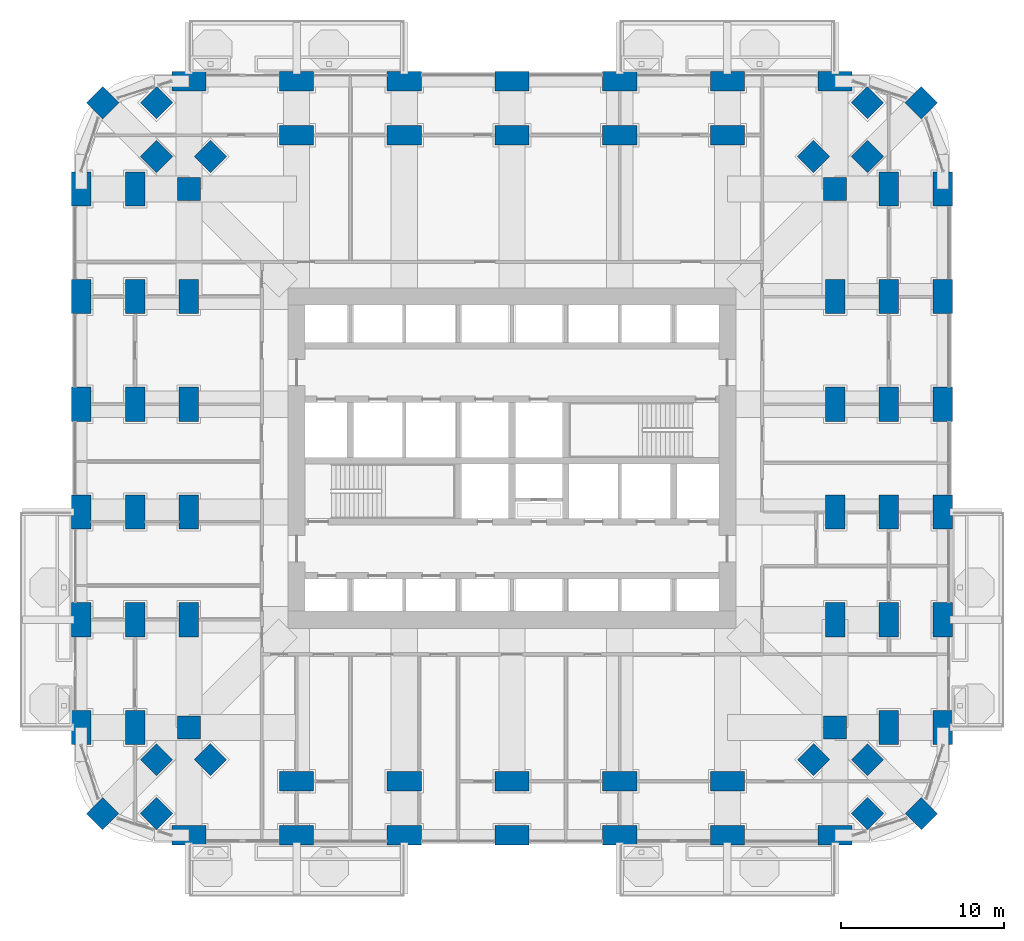
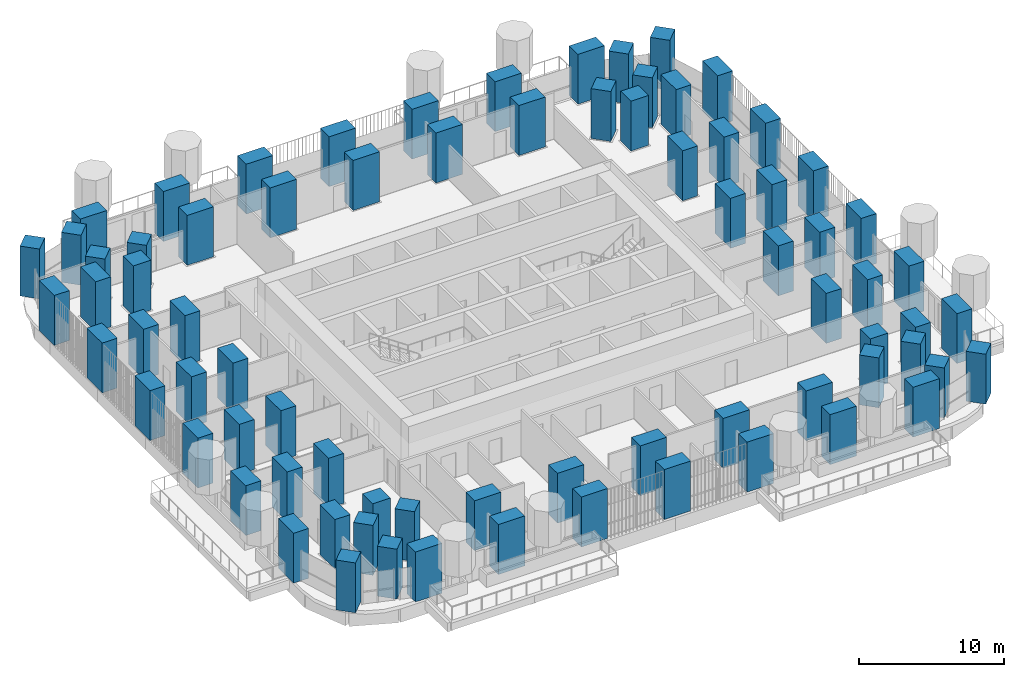
# One storey, part 1 of 27: 76 columns.
"""IFC4 building model written with IfcOpenShell, lengths in metres."""

from ifc_helpers import new_model, si_unit, direction, frame, origin, origin_2d, place, context, subcontext, project, spatial, rectangle, extrude, material, material_profile, profile_set, type_object, element, save


model = new_model("IFC4")

# Units and contexts
model_context = context("Model", 3, precision=1e-05, world=origin(), true_north=direction((0.0, 1.0)))
body_context = subcontext(model_context, "Body", "Model", "MODEL_VIEW")
ifc_project = project(units=[si_unit("LENGTHUNIT", "METRE"), si_unit("AREAUNIT", "SQUARE_METRE"), si_unit("VOLUMEUNIT", "CUBIC_METRE"), si_unit("PLANEANGLEUNIT", "RADIAN"), si_unit("MASSUNIT", "GRAM", prefix="KILO")], contexts=[model_context])

# Site, building, storey
site_placement = place(None, origin())
site = spatial("IfcSite", under=ifc_project, at=site_placement, CompositionType="ELEMENT")
building_placement = place(site_placement, origin())
building = spatial("IfcBuilding", under=site, at=building_placement, Name="Cobogo Forest Laboratory Tower", CompositionType="ELEMENT")
storey_placement = place(building_placement, frame((0.0, 0.0, 63.300048828125)))
storey = spatial("IfcBuildingStorey", under=building, at=storey_placement, Name="L14", CompositionType="ELEMENT", Elevation=63.300048828125)

# Columns
ifc_material = material(Name="Concrete HA-50 (C50/60)", Category="concrete")
ifc_material_profile_1 = material_profile(ifc_material, rectangle(XDim=2.10009765625, YDim=1.199951171875, at=origin_2d()), Name="RC 1200x2100")
ifc_profile_set_1 = profile_set([ifc_material_profile_1], Name="Concrete HA-50 (C50/60)")
column_type_1 = type_object("IfcColumnType", Name="Blade column 1200x2100", PredefinedType="COLUMN", material=ifc_profile_set_1)
for number, where, z_axis, x_axis, name in (
    (1, (6.60009765625, 0.0, 0.0), (0.0, 0.0, 1.0), (1.0, 0.0, 0.0), "Column 2-A L14"),
    (2, (13.199951171875, 0.0, 0.0), (0.0, 0.0, 1.0), (1.0, 0.0, 0.0), "Column 3-A L14"),
    (3, (19.800048828125, 0.0, 0.0), (0.0, 0.0, 1.0), (1.0, 0.0, 0.0), "Column 4-A L14"),
    (4, (26.39990234375, 0.0, 0.0), (0.0, 0.0, 1.0), (1.0, 0.0, 0.0), "Column 5-A L14"),
    (5, (33.0, 0.0, 0.0), (0.0, 0.0, 1.0), (1.0, 0.0, 0.0), "Column 6-A L14"),
    (6, (39.60009765625, 0.0, 0.0), (0.0, 0.0, 1.0), (1.0, 0.0, 0.0), "Column 7-A L14"),
    (7, (46.199951171875, 0.0, 0.0), (0.0, 0.0, 1.0), (1.0, 0.0, 0.0), "Column 8-A L14"),
    (8, (0.0, 6.60009765625, 0.0), (0.0, 0.0, 1.0), (0.0, 1.0, 0.0), "Column 1-B L14"),
    (9, (52.800048828125, 6.60009765625, 0.0), (0.0, 0.0, 1.0), (0.0, 1.0, 0.0), "Column 9-B L14"),
    (10, (0.0, 13.199951171875, 0.0), (0.0, 0.0, 1.0), (0.0, 1.0, 0.0), "Column 1-C L14"),
    (11, (52.800048828125, 13.199951171875, 0.0), (0.0, 0.0, 1.0), (0.0, 1.0, 0.0), "Column 9-C L14"),
    (12, (0.0, 19.800048828125, 0.0), (0.0, 0.0, 1.0), (0.0, 1.0, 0.0), "Column 1-D L14"),
    (13, (52.800048828125, 19.800048828125, 0.0), (0.0, 0.0, 1.0), (0.0, 1.0, 0.0), "Column 9-D L14"),
    (14, (0.0, 26.39990234375, 0.0), (0.0, 0.0, 1.0), (0.0, 1.0, 0.0), "Column 1-E L14"),
    (15, (52.800048828125, 26.39990234375, 0.0), (0.0, 0.0, 1.0), (0.0, 1.0, 0.0), "Column 9-E L14"),
    (16, (0.0, 33.0, 0.0), (0.0, 0.0, 1.0), (0.0, 1.0, 0.0), "Column 1-F L14"),
    (17, (52.800048828125, 33.0, 0.0), (0.0, 0.0, 1.0), (0.0, 1.0, 0.0), "Column 9-F L14"),
    (18, (0.0, 39.60009765625, 0.0), (0.0, 0.0, 1.0), (0.0, 1.0, 0.0), "Column 1-G L14"),
    (19, (52.800048828125, 39.60009765625, 0.0), (0.0, 0.0, 1.0), (0.0, 1.0, 0.0), "Column 9-G L14"),
    (20, (6.60009765625, 46.199951171875, 0.0), (0.0, 0.0, 1.0), (1.0, 0.0, 0.0), "Column 2-H L14"),
    (21, (13.199951171875, 46.199951171875, 0.0), (0.0, 0.0, 1.0), (1.0, 0.0, 0.0), "Column 3-H L14"),
    (22, (19.800048828125, 46.199951171875, 0.0), (0.0, 0.0, 1.0), (1.0, 0.0, 0.0), "Column 4-H L14"),
    (23, (26.39990234375, 46.199951171875, 0.0), (0.0, 0.0, 1.0), (1.0, 0.0, 0.0), "Column 5-H L14"),
    (24, (33.0, 46.199951171875, 0.0), (0.0, 0.0, 1.0), (1.0, 0.0, 0.0), "Column 6-H L14"),
    (25, (39.60009765625, 46.199951171875, 0.0), (0.0, 0.0, 1.0), (1.0, 0.0, 0.0), "Column 7-H L14"),
    (26, (46.199951171875, 46.199951171875, 0.0), (0.0, 0.0, 1.0), (1.0, 0.0, 0.0), "Column 8-H L14"),
    (27, (3.300048828125, 6.60009765625, 0.0), (0.0, 0.0, 1.0), (0.0, 1.0, 0.0), "Column 1.1-B-B L14"),
    (28, (49.5, 6.60009765625, 0.0), (0.0, 0.0, 1.0), (0.0, 1.0, 0.0), "Column 8.1-B-B L14"),
    (29, (3.300048828125, 13.199951171875, 0.0), (0.0, 0.0, 1.0), (0.0, 1.0, 0.0), "Column 1.1-C-B L14"),
    (30, (49.5, 13.199951171875, 0.0), (0.0, 0.0, 1.0), (0.0, 1.0, 0.0), "Column 8.1-C-B L14"),
    (31, (3.300048828125, 19.800048828125, 0.0), (0.0, 0.0, 1.0), (0.0, 1.0, 0.0), "Column 1.1-D-B L14"),
    (32, (49.5, 19.800048828125, 0.0), (0.0, 0.0, 1.0), (0.0, 1.0, 0.0), "Column 8.1-D-B L14"),
    (33, (3.300048828125, 26.39990234375, 0.0), (0.0, 0.0, 1.0), (0.0, 1.0, 0.0), "Column 1.1-E-B L14"),
    (34, (49.5, 26.39990234375, 0.0), (0.0, 0.0, 1.0), (0.0, 1.0, 0.0), "Column 8.1-E-B L14"),
    (35, (3.300048828125, 33.0, 0.0), (0.0, 0.0, 1.0), (0.0, 1.0, 0.0), "Column 1.1-F-B L14"),
    (36, (49.5, 33.0, 0.0), (0.0, 0.0, 1.0), (0.0, 1.0, 0.0), "Column 8.1-F-B L14"),
    (37, (3.300048828125, 39.60009765625, 0.0), (0.0, 0.0, 1.0), (0.0, 1.0, 0.0), "Column 1.1-G-B L14"),
    (38, (49.5, 39.60009765625, 0.0), (0.0, 0.0, 1.0), (0.0, 1.0, 0.0), "Column 8.1-G-B L14"),
    (39, (13.199951171875, 3.300048828125, 0.0), (0.0, 0.0, 1.0), (1.0, 0.0, 0.0), "Column 3-A.1-C L14"),
    (40, (19.800048828125, 3.300048828125, 0.0), (0.0, 0.0, 1.0), (1.0, 0.0, 0.0), "Column 4-A.1-C L14"),
    (41, (26.39990234375, 3.300048828125, 0.0), (0.0, 0.0, 1.0), (1.0, 0.0, 0.0), "Column 5-A.1-C L14"),
    (42, (33.0, 3.300048828125, 0.0), (0.0, 0.0, 1.0), (1.0, 0.0, 0.0), "Column 6-A.1-C L14"),
    (43, (39.60009765625, 3.300048828125, 0.0), (0.0, 0.0, 1.0), (1.0, 0.0, 0.0), "Column 7-A.1-C L14"),
    (44, (13.199951171875, 42.89990234375, 0.0), (0.0, 0.0, 1.0), (1.0, 0.0, 0.0), "Column 3-G.1-C L14"),
    (45, (19.800048828125, 42.89990234375, 0.0), (0.0, 0.0, 1.0), (1.0, 0.0, 0.0), "Column 4-G.1-C L14"),
    (46, (26.39990234375, 42.89990234375, 0.0), (0.0, 0.0, 1.0), (1.0, 0.0, 0.0), "Column 5-G.1-C L14"),
    (47, (33.0, 42.89990234375, 0.0), (0.0, 0.0, 1.0), (1.0, 0.0, 0.0), "Column 6-G.1-C L14"),
    (48, (39.60009765625, 42.89990234375, 0.0), (0.0, 0.0, 1.0), (1.0, 0.0, 0.0), "Column 7-G.1-C L14"),
    (49, (6.60009765625, 13.199951171875, 0.0), (0.0, 0.0, 1.0), (0.0, 1.0, 0.0), "Column 2-C-D L14"),
    (50, (46.199951171875, 13.199951171875, 0.0), (0.0, 0.0, 1.0), (0.0, 1.0, 0.0), "Column 8-C-D L14"),
    (51, (6.60009765625, 19.800048828125, 0.0), (0.0, 0.0, 1.0), (0.0, 1.0, 0.0), "Column 2-D-D L14"),
    (52, (46.199951171875, 19.800048828125, 0.0), (0.0, 0.0, 1.0), (0.0, 1.0, 0.0), "Column 8-D-D L14"),
    (53, (6.60009765625, 26.39990234375, 0.0), (0.0, 0.0, 1.0), (0.0, 1.0, 0.0), "Column 2-E-D L14"),
    (54, (46.199951171875, 26.39990234375, 0.0), (0.0, 0.0, 1.0), (0.0, 1.0, 0.0), "Column 8-E-D L14"),
    (55, (6.60009765625, 33.0, 0.0), (0.0, 0.0, 1.0), (0.0, 1.0, 0.0), "Column 2-F-D L14"),
    (56, (46.199951171875, 33.0, 0.0), (0.0, 0.0, 1.0), (0.0, 1.0, 0.0), "Column 8-F-D L14"),
):
    element("IfcColumn", number, at=place(storey_placement, frame(where, z_axis=z_axis, x_axis=x_axis)), inside=storey, type_object=column_type_1, Name=name, PredefinedType="COLUMN", context=body_context, shape_type="SweptSolid", body=[
        extrude(rectangle(XDim=2.10009765625, YDim=1.199951171875, at=origin_2d()), origin(), (0.0, 0.0, 1.0), 4.199951171875),
    ])
ifc_material_profile_2 = material_profile(ifc_material, rectangle(XDim=1.39990234375, YDim=1.39990234375, at=origin_2d()), Name="RC 1400x1400")
ifc_profile_set_2 = profile_set([ifc_material_profile_2], Name="Concrete HA-50 (C50/60)")
column_type_2 = type_object("IfcColumnType", Name="Column 1400x1400", PredefinedType="COLUMN", material=ifc_profile_set_2)
for number, where, z_axis, x_axis, name in (
    (57, (1.318115234375, 1.318115234375, 0.0), (0.0, 0.0, 1.0), (0.707106781187, 0.707106781187, 0.0), "Column CNR-SW L14"),
    (58, (51.48193359375, 1.318115234375, 0.0), (0.0, 0.0, 1.0), (0.707106781187, 0.707106781187, 0.0), "Column CNR-SE L14"),
    (59, (1.318115234375, 44.882080078125, 0.0), (0.0, 0.0, 1.0), (0.707106781187, 0.707106781187, 0.0), "Column CNR-NW L14"),
    (60, (51.48193359375, 44.882080078125, 0.0), (0.0, 0.0, 1.0), (0.707106781187, 0.707106781187, 0.0), "Column CNR-NE L14"),
    (61, (6.60009765625, 6.60009765625, 0.0), (0.0, 0.0, 1.0), (1.0, 0.0, 0.0), "Column 2-B L14"),
    (62, (46.199951171875, 6.60009765625, 0.0), (0.0, 0.0, 1.0), (1.0, 0.0, 0.0), "Column 8-B L14"),
    (63, (6.60009765625, 39.60009765625, 0.0), (0.0, 0.0, 1.0), (1.0, 0.0, 0.0), "Column 2-G L14"),
    (64, (46.199951171875, 39.60009765625, 0.0), (0.0, 0.0, 1.0), (1.0, 0.0, 0.0), "Column 8-G L14"),
    (65, (4.617919921875, 1.318115234375, 0.0), (0.0, 0.0, 1.0), (0.707106781187, 0.707106781187, 0.0), "Column CNR-SW-B L14"),
    (66, (48.181884765625, 1.318115234375, 0.0), (0.0, 0.0, 1.0), (0.707106781187, 0.707106781187, 0.0), "Column CNR-SE-B L14"),
    (67, (4.617919921875, 44.882080078125, 0.0), (0.0, 0.0, 1.0), (0.707106781187, 0.707106781187, 0.0), "Column CNR-NW-B L14"),
    (68, (48.181884765625, 44.882080078125, 0.0), (0.0, 0.0, 1.0), (0.707106781187, 0.707106781187, 0.0), "Column CNR-NE-B L14"),
    (69, (4.617919921875, 4.617919921875, 0.0), (0.0, 0.0, 1.0), (0.707106781187, 0.707106781187, 0.0), "Column CNR-SW-C L14"),
    (70, (48.181884765625, 4.617919921875, 0.0), (0.0, 0.0, 1.0), (0.707106781187, 0.707106781187, 0.0), "Column CNR-SE-C L14"),
    (71, (4.617919921875, 41.58203125, 0.0), (0.0, 0.0, 1.0), (0.707106781187, 0.707106781187, 0.0), "Column CNR-NW-C L14"),
    (72, (48.181884765625, 41.58203125, 0.0), (0.0, 0.0, 1.0), (0.707106781187, 0.707106781187, 0.0), "Column CNR-NE-C L14"),
    (73, (7.91796875, 4.617919921875, 0.0), (0.0, 0.0, 1.0), (0.707106781187, 0.707106781187, 0.0), "Column CNR-SW-D L14"),
    (74, (44.882080078125, 4.617919921875, 0.0), (0.0, 0.0, 1.0), (0.707106781187, 0.707106781187, 0.0), "Column CNR-SE-D L14"),
    (75, (7.91796875, 41.58203125, 0.0), (0.0, 0.0, 1.0), (0.707106781187, 0.707106781187, 0.0), "Column CNR-NW-D L14"),
    (76, (44.882080078125, 41.58203125, 0.0), (0.0, 0.0, 1.0), (0.707106781187, 0.707106781187, 0.0), "Column CNR-NE-D L14"),
):
    element("IfcColumn", number, at=place(storey_placement, frame(where, z_axis=z_axis, x_axis=x_axis)), inside=storey, type_object=column_type_2, Name=name, PredefinedType="COLUMN", context=body_context, shape_type="SweptSolid", body=[
        extrude(rectangle(XDim=1.39990234375, YDim=1.39990234375, at=origin_2d()), origin(), (0.0, 0.0, 1.0), 4.199951171875),
    ])

save(model, "model.ifc")
